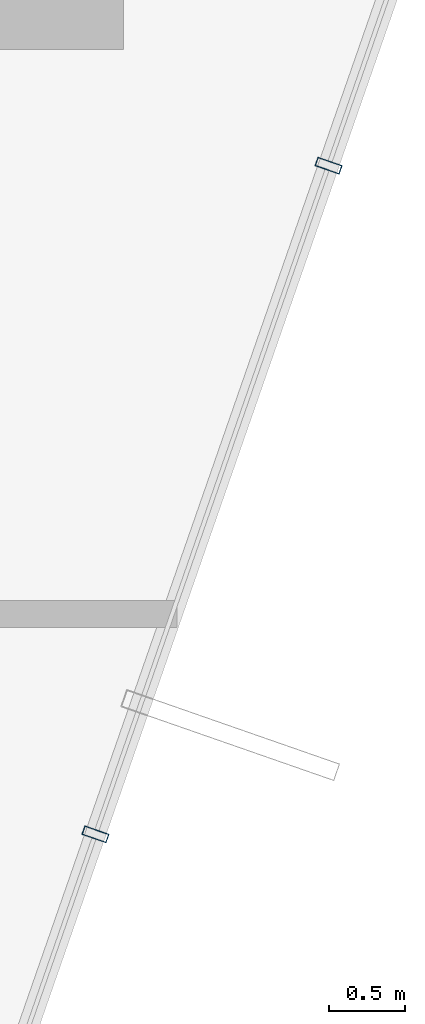
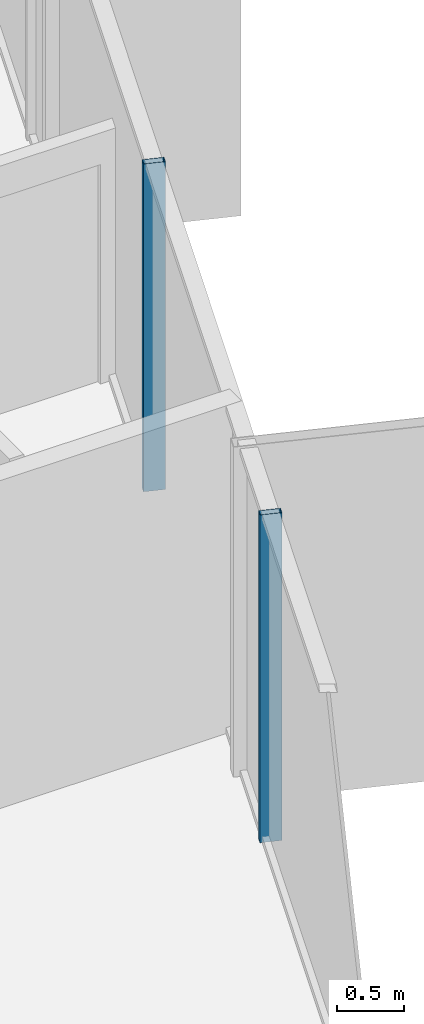
# One storey, part 16 of 38: 2 members, 1 element without a shape of its own.
"""IFC4 building model written with IfcOpenShell, lengths in metres."""

from ifc_helpers import new_model, si_unit, direction, frame, origin, origin_2d, place, context, subcontext, project, spatial, hollow_rectangle, extrude, source, transform, mapped, material, layer, layer_set, material_profile, profile_set, type_object, element, aggregate, save


model = new_model("IFC4")

# Units and contexts
model_context = context("Model", 3, precision=1e-05, world=origin(), true_north=direction((0.0, 1.0)))
body_context = subcontext(model_context, "Body", "Model", "MODEL_VIEW")
ifc_project = project(units=[si_unit("LENGTHUNIT", "METRE"), si_unit("AREAUNIT", "SQUARE_METRE"), si_unit("VOLUMEUNIT", "CUBIC_METRE"), si_unit("PLANEANGLEUNIT", "RADIAN"), si_unit("MASSUNIT", "GRAM", prefix="KILO")], contexts=[model_context])

# Site, building, storey
site_placement = place(None, origin())
site = spatial("IfcSite", under=ifc_project, at=site_placement, CompositionType="ELEMENT")
building_placement = place(site_placement, origin())
building = spatial("IfcBuilding", under=site, at=building_placement, Name="Veraguas Prism Commons", CompositionType="ELEMENT")
storey_placement = place(building_placement, frame((0.0, 0.0, 60.85009765625)))
storey = spatial("IfcBuildingStorey", under=building, at=storey_placement, Name="L16", CompositionType="ELEMENT", Elevation=60.85009765625)

# Curtain wall, members
ifc_material = material(Name="Anodised aluminium EN AW-6063 T6", Category="aluminium")
ifc_layer = layer(ifc_material, 0.169921875, Name="Unitised Flush Curtain Wall Zone 1", Category="aluminium")
ifc_layer_set = layer_set([ifc_layer], Name="Anodised aluminium EN AW-6063 T6")
curtain_wall_type = type_object("IfcCurtainWallType", Name="Unitised Flush Curtain Wall Zone 1", PredefinedType="NOTDEFINED", material=ifc_layer_set)
curtain_wall_placement = place(storey_placement, origin())
curtain_wall = element("IfcCurtainWall", 1, at=curtain_wall_placement, inside=storey, type_object=curtain_wall_type, Name="Tower Facade Curtain Wall L16-F6", PredefinedType="NOTDEFINED")
ifc_material_profile = material_profile(ifc_material, hollow_rectangle(XDim=0.06005859375, YDim=0.169921875, WallThickness=0.00390625, at=origin_2d()), Name="AL60X170X4")
ifc_profile_set = profile_set([ifc_material_profile], Name="Anodised aluminium EN AW-6063 T6")
member_type = type_object("IfcMemberType", Name="Curtain Wall Mullion Lower AL 60x170x4", PredefinedType="MULLION", material=ifc_profile_set)
shared_shape = source(origin(), body_context, "Body", "SweptSolid", [
    extrude(hollow_rectangle(XDim=0.06005859375, YDim=0.169921875, WallThickness=0.00390625, at=origin_2d()), origin(), (0.0, 0.0, 1.0), 3.0),
])
member_1_placement = place(storey_placement, frame((42.08837890625, 12.747314453125, 0.0), z_axis=(0.0, 0.0, 1.0), x_axis=(0.329194628189, 0.944262091144, 0.0)))
member_1 = element("IfcMember", 2, at=member_1_placement, type_object=member_type, Name="CW-Z1 Mullion 2", PredefinedType="MULLION", context=body_context, shape_type="MappedRepresentation", body=[
    mapped(shared_shape, transform((0.0, 0.0, 0.0), scale=1.0)),
])
member_2_placement = place(storey_placement, frame((43.626220703125, 17.15771484375, 0.0), z_axis=(0.0, 0.0, 1.0), x_axis=(0.329194628189, 0.944262091144, 0.0)))
member_2 = element("IfcMember", 3, at=member_2_placement, type_object=member_type, Name="CW-Z1 Mullion 3", PredefinedType="MULLION", context=body_context, shape_type="MappedRepresentation", body=[
    mapped(shared_shape, transform((0.0, 0.0, 0.0), scale=1.0)),
])
aggregate(curtain_wall, [member_1, member_2])

save(model, "model.ifc")
